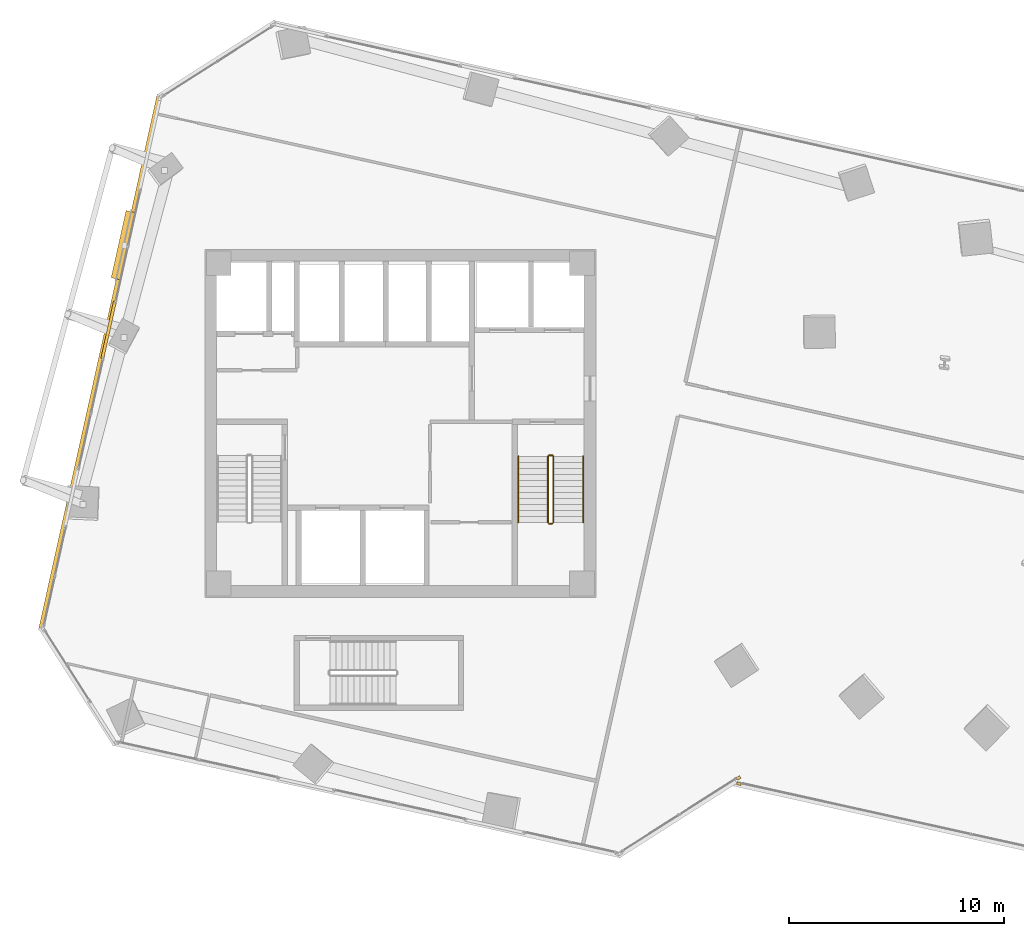
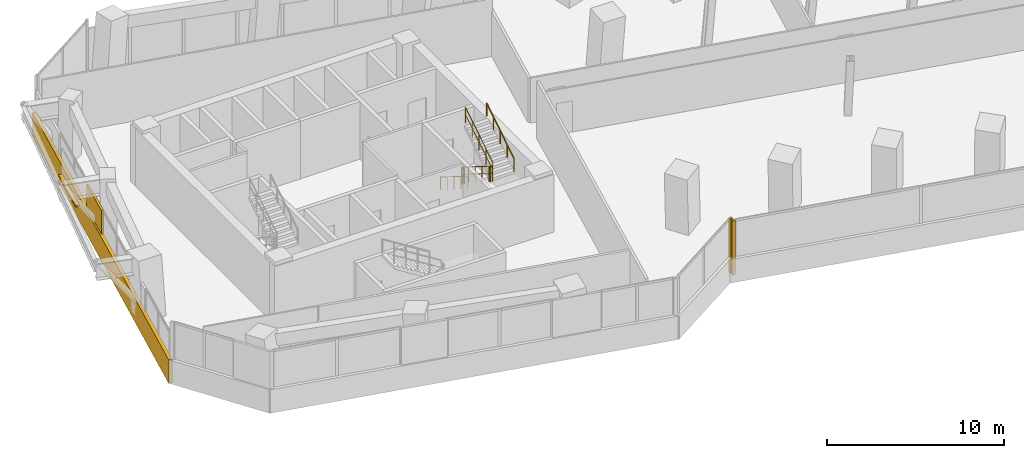
# One storey, part 24 of 26: 6 railings, 4 coverings, 1 shading device.
"""IFC4 building model written with IfcOpenShell, lengths in metres."""

from ifc_helpers import new_model, si_unit, direction, frame, origin, origin_2d, place, context, subcontext, project, spatial, rectangle, circle, extrude, source, transform, mapped, material, layer, layer_set, type_object, element, save


model = new_model("IFC4")

# Units and contexts
model_context = context("Model", 3, precision=1e-05, world=origin(), true_north=direction((0.0, 1.0)))
body_context = subcontext(model_context, "Body", "Model", "MODEL_VIEW")
ifc_project = project(units=[si_unit("LENGTHUNIT", "METRE"), si_unit("AREAUNIT", "SQUARE_METRE"), si_unit("VOLUMEUNIT", "CUBIC_METRE"), si_unit("PLANEANGLEUNIT", "RADIAN"), si_unit("MASSUNIT", "GRAM", prefix="KILO")], contexts=[model_context])

# Site, building, storey
site_placement = place(None, origin())
site = spatial("IfcSite", under=ifc_project, at=site_placement, CompositionType="ELEMENT")
building_placement = place(site_placement, origin())
building = spatial("IfcBuilding", under=site, at=building_placement, Name="Torre Montelarca", CompositionType="ELEMENT")
storey_placement = place(building_placement, frame((0.0, 0.0, 95.800048828125)))
storey = spatial("IfcBuildingStorey", under=building, at=storey_placement, Name="L21", CompositionType="ELEMENT", Elevation=95.800048828125)

# Railings
ifc_material_1 = material(Name="Powder-coated steel ASTM A500 Grade C", Category="steel")
railing_type_1 = type_object("IfcRailingType", Name="RL-GUARD-1100", PredefinedType="BALUSTRADE", material=ifc_material_1)
railing_1_placement = place(storey_placement, frame((24.8701171875, 30.469970703125, 0.175048828125)))
element("IfcRailing", 1, at=railing_1_placement, inside=storey, type_object=railing_type_1, Name="L21 ST2 stair guard 1", PredefinedType="BALUSTRADE", context=body_context, shape_type="SweptSolid", body=[
    extrude(circle(Radius=0.02392578125, at=origin_2d()), frame((0.0, 0.0, 1.076171875), z_axis=(0.0, -0.848028513186, 0.529950602248), x_axis=(1.0, 0.0, 0.0)), (0.0, 0.0, 1.0), 3.632080078125),
    extrude(circle(Radius=0.02099609375, at=origin_2d()), frame((0.0, 0.0, 0.572021484375), z_axis=(0.0, -0.848028513186, 0.529950602248), x_axis=(1.0, 0.0, 0.0)), (0.0, 0.0, 1.0), 3.632080078125),
    extrude(circle(Radius=0.02099609375, at=origin_2d()), origin(), (0.0, 0.0, 1.0), 1.052001953125),
    extrude(circle(Radius=0.02099609375, at=origin_2d()), frame((0.0, -0.77001953125, 0.481201171875)), (0.0, 0.0, 1.0), 1.052001953125),
    extrude(circle(Radius=0.02099609375, at=origin_2d()), frame((0.0, -1.5400390625, 0.96240234375)), (0.0, 0.0, 1.0), 1.052001953125),
    extrude(circle(Radius=0.02099609375, at=origin_2d()), frame((0.0, -2.31005859375, 1.443603515625)), (0.0, 0.0, 1.0), 1.052001953125),
    extrude(circle(Radius=0.02099609375, at=origin_2d()), frame((0.0, -3.080078125, 1.9248046875)), (0.0, 0.0, 1.0), 1.052001953125),
])
railing_2_placement = place(storey_placement, frame((24.919921875, 27.340087890625, 2.099853515625)))
element("IfcRailing", 2, at=railing_2_placement, inside=storey, type_object=railing_type_1, Name="L21 ST2 stair guard 2", PredefinedType="BALUSTRADE", context=body_context, shape_type="SweptSolid", body=[
    extrude(circle(Radius=0.02392578125, at=origin_2d()), frame((0.0, 0.0, 1.076171875), z_axis=(1.0, 0.0, 0.0), x_axis=(0.0, 1.0, 0.0)), (0.0, 0.0, 1.0), 0.150146484375),
    extrude(circle(Radius=0.02099609375, at=origin_2d()), frame((0.0, 0.0, 0.572021484375), z_axis=(1.0, 0.0, 0.0), x_axis=(0.0, 1.0, 0.0)), (0.0, 0.0, 1.0), 0.150146484375),
    extrude(circle(Radius=0.02099609375, at=origin_2d()), origin(), (0.0, 0.0, 1.0), 1.052001953125),
    extrude(circle(Radius=0.02099609375, at=origin_2d()), frame((0.150146484375, 0.0, 0.0)), (0.0, 0.0, 1.0), 1.052001953125),
])
railing_3_placement = place(storey_placement, frame((25.1201171875, 27.389892578125, 2.27490234375)))
element("IfcRailing", 3, at=railing_3_placement, inside=storey, type_object=railing_type_1, Name="L21 ST2 stair guard 3", PredefinedType="BALUSTRADE", context=body_context, shape_type="SweptSolid", body=[
    extrude(circle(Radius=0.02392578125, at=origin_2d()), frame((0.0, 0.0, 1.076171875), z_axis=(0.0, 0.847998304005, 0.529998940003), x_axis=(-1.0, 0.0, 0.0)), (0.0, 0.0, 1.0), 3.632080078125),
    extrude(circle(Radius=0.02099609375, at=origin_2d()), frame((0.0, 0.0, 0.572021484375), z_axis=(0.0, 0.847998304005, 0.529998940003), x_axis=(-1.0, 0.0, 0.0)), (0.0, 0.0, 1.0), 3.632080078125),
    extrude(circle(Radius=0.02099609375, at=origin_2d()), origin(), (0.0, 0.0, 1.0), 1.052001953125),
    extrude(circle(Radius=0.02099609375, at=origin_2d()), frame((0.0, 0.77001953125, 0.481201171875)), (0.0, 0.0, 1.0), 1.052001953125),
    extrude(circle(Radius=0.02099609375, at=origin_2d()), frame((0.0, 1.5400390625, 0.96240234375)), (0.0, 0.0, 1.0), 1.052001953125),
    extrude(circle(Radius=0.02099609375, at=origin_2d()), frame((0.0, 2.31005859375, 1.44384765625)), (0.0, 0.0, 1.0), 1.052001953125),
    extrude(circle(Radius=0.02099609375, at=origin_2d()), frame((0.0, 3.080078125, 1.925048828125)), (0.0, 0.0, 1.0), 1.052001953125),
])
railing_4_placement = place(storey_placement, frame((24.919921875, 30.52001953125, 0.0)))
element("IfcRailing", 4, at=railing_4_placement, inside=storey, type_object=railing_type_1, Name="L21 ST2 stair guard 4", PredefinedType="BALUSTRADE", context=body_context, shape_type="SweptSolid", body=[
    extrude(circle(Radius=0.02392578125, at=origin_2d()), frame((0.0, 0.0, 1.076171875), z_axis=(1.0, 0.0, 0.0), x_axis=(0.0, 1.0, 0.0)), (0.0, 0.0, 1.0), 0.150146484375),
    extrude(circle(Radius=0.02099609375, at=origin_2d()), frame((0.0, 0.0, 0.572021484375), z_axis=(1.0, 0.0, 0.0), x_axis=(0.0, 1.0, 0.0)), (0.0, 0.0, 1.0), 0.150146484375),
    extrude(circle(Radius=0.02099609375, at=origin_2d()), origin(), (0.0, 0.0, 1.0), 1.052001953125),
    extrude(circle(Radius=0.02099609375, at=origin_2d()), frame((0.150146484375, 0.0, 0.0)), (0.0, 0.0, 1.0), 1.052001953125),
])
ifc_material_2 = material(Name="Brushed stainless steel AISI 316", Category="steel")
railing_type_2 = type_object("IfcRailingType", Name="RL-HANDRAIL-900", PredefinedType="HANDRAIL", material=ifc_material_2)
railing_5_placement = place(storey_placement, frame((23.489990234375, 30.469970703125, 0.175048828125)))
element("IfcRailing", 5, at=railing_5_placement, inside=storey, type_object=railing_type_2, Name="L21 ST2 stair handrail 1", PredefinedType="HANDRAIL", context=body_context, shape_type="SweptSolid", body=[
    extrude(circle(Radius=0.02392578125, at=origin_2d()), frame((0.0, 0.0, 0.8759765625), z_axis=(0.0, -0.848028513186, 0.529950602248), x_axis=(1.0, 0.0, 0.0)), (0.0, 0.0, 1.0), 3.632080078125),
    extrude(circle(Radius=0.02099609375, at=origin_2d()), origin(), (0.0, 0.0, 1.0), 0.851806640625),
    extrude(circle(Radius=0.02099609375, at=origin_2d()), frame((0.0, -0.77001953125, 0.481201171875)), (0.0, 0.0, 1.0), 0.851806640625),
    extrude(circle(Radius=0.02099609375, at=origin_2d()), frame((0.0, -1.5400390625, 0.96240234375)), (0.0, 0.0, 1.0), 0.851806640625),
    extrude(circle(Radius=0.02099609375, at=origin_2d()), frame((0.0, -2.31005859375, 1.443603515625)), (0.0, 0.0, 1.0), 0.851806640625),
    extrude(circle(Radius=0.02099609375, at=origin_2d()), frame((0.0, -3.080078125, 1.9248046875)), (0.0, 0.0, 1.0), 0.851806640625),
])
railing_6_placement = place(storey_placement, frame((26.5, 27.389892578125, 2.27490234375)))
element("IfcRailing", 6, at=railing_6_placement, inside=storey, type_object=railing_type_2, Name="L21 ST2 stair handrail 2", PredefinedType="HANDRAIL", context=body_context, shape_type="SweptSolid", body=[
    extrude(circle(Radius=0.02392578125, at=origin_2d()), frame((0.0, 0.0, 0.8759765625), z_axis=(0.0, 0.847998304005, 0.529998940003), x_axis=(-1.0, 0.0, 0.0)), (0.0, 0.0, 1.0), 3.632080078125),
    extrude(circle(Radius=0.02099609375, at=origin_2d()), origin(), (0.0, 0.0, 1.0), 0.851806640625),
    extrude(circle(Radius=0.02099609375, at=origin_2d()), frame((0.0, 0.77001953125, 0.481201171875)), (0.0, 0.0, 1.0), 0.851806640625),
    extrude(circle(Radius=0.02099609375, at=origin_2d()), frame((0.0, 1.5400390625, 0.96240234375)), (0.0, 0.0, 1.0), 0.851806640625),
    extrude(circle(Radius=0.02099609375, at=origin_2d()), frame((0.0, 2.31005859375, 1.44384765625)), (0.0, 0.0, 1.0), 0.851806640625),
    extrude(circle(Radius=0.02099609375, at=origin_2d()), frame((0.0, 3.080078125, 1.925048828125)), (0.0, 0.0, 1.0), 0.851806640625),
])

# Covering
ifc_material_3 = material(Name="Bush-hammered warm white precast concrete C45/55", Category="concrete")
ifc_layer_1 = layer(ifc_material_3, 0.139892578125, Name="Bush-hammered warm white precast concrete C45/55", Category="concrete")
ifc_layer_set_1 = layer_set([ifc_layer_1], Name="Bush-hammered warm white precast concrete C45/55")
covering_type = type_object("IfcCoveringType", Name="COV-TRAY-CLAD", PredefinedType="CLADDING", material=ifc_layer_set_1)
shared_shape_1 = source(origin(), body_context, "Body", "SweptSolid", [
    extrude(rectangle(XDim=25.52001953125, YDim=0.219970703125, at=origin_2d()), origin(), (0.0, 0.0, 1.0), 1.6201171875),
])
covering_1_placement = place(storey_placement, frame((4.032470703125, 34.84814453125, -0.4501953125), z_axis=(0.0, 0.0, 1.0), x_axis=(-0.216441317896, -0.97629562936, 0.0)))
element("IfcCovering", 7, at=covering_1_placement, inside=storey, type_object=covering_type, Name="L21 Architectural White Spandrel Tray Band TRYBOT-10", PredefinedType="CLADDING", context=body_context, shape_type="MappedRepresentation", body=[
    mapped(shared_shape_1, transform((0.0, 0.0, 0.0), scale=1.0)),
])

# Shading device
ifc_material_4 = material(Name="Anodised champagne bronze aluminium AA 6063-T6", Category="aluminium")
ifc_layer_2 = layer(ifc_material_4, 0.070068359375, Name="Anodised champagne bronze aluminium AA 6063-T6", Category="aluminium")
ifc_layer_set_2 = layer_set([ifc_layer_2], Name="Anodised champagne bronze aluminium AA 6063-T6")
shading_device_type = type_object("IfcShadingDeviceType", Name="SHD-SUNSHADE-1", PredefinedType="USERDEFINED", material=ifc_layer_set_2)
shared_shape_2 = source(origin(), body_context, "Body", "SweptSolid", [
    extrude(rectangle(XDim=3.199951171875, YDim=0.47998046875, at=origin_2d()), origin(), (0.0, 0.0, 1.0), 0.10009765625),
])
shading_device_placement = place(storey_placement, frame((5.126220703125, 40.290771484375, 0.56982421875), z_axis=(0.0, 0.0, 1.0), x_axis=(-0.216441317896, -0.97629562936, 0.0)))
element("IfcShadingDevice", 8, at=shading_device_placement, inside=storey, type_object=shading_device_type, Name="L21 Facade Solar Shading Device E10", ObjectType="SUNSHADE", PredefinedType="USERDEFINED", context=body_context, shape_type="MappedRepresentation", body=[
    mapped(shared_shape_2, transform((0.0, 0.0, 0.0), scale=1.0)),
])

# Coverings
shared_shape_3 = source(origin(), body_context, "Body", "SweptSolid", [
    extrude(rectangle(XDim=0.199951171875, YDim=0.139892578125, at=origin_2d()), origin(), (0.0, 0.0, 1.0), 3.719970703125),
])
for number, where, z_axis, x_axis, name in (
    (9, (33.7333984375, 15.502685546875, 0.0), (0.0, 0.0, 1.0), (0.843383943613, 0.537311384261, 0.0), "L21 Architectural Column Pier Cladding E02-2"),
    (10, (33.7548828125, 15.240234375, 0.0), (0.0, 0.0, 1.0), (0.97629751813, -0.216432798101, 0.0), "L21 Architectural Column Pier Cladding E04-1"),
):
    element("IfcCovering", number, at=place(storey_placement, frame(where, z_axis=z_axis, x_axis=x_axis)), inside=storey, type_object=covering_type, Name=name, PredefinedType="CLADDING", context=body_context, shape_type="MappedRepresentation", body=[
        mapped(shared_shape_3, transform((0.0, 0.0, 0.0), scale=1.0)),
    ])
shared_shape_4 = source(origin(), body_context, "Body", "SweptSolid", [
    extrude(rectangle(XDim=2.727294921875, YDim=0.139892578125, at=origin_2d()), origin(), (0.0, 0.0, 1.0), 2.77490234375),
])
covering_2_placement = place(storey_placement, frame((4.4267578125, 36.349609375, 0.0), z_axis=(0.0, 0.0, 1.0), x_axis=(-0.216441317896, -0.97629562936, 0.0)))
element("IfcCovering", 11, at=covering_2_placement, inside=storey, type_object=covering_type, Name="L21 Architectural Column Pier Cladding E10-3", PredefinedType="CLADDING", context=body_context, shape_type="MappedRepresentation", body=[
    mapped(shared_shape_4, transform((0.0, 0.0, 0.0), scale=1.0)),
])

save(model, "model.ifc")
